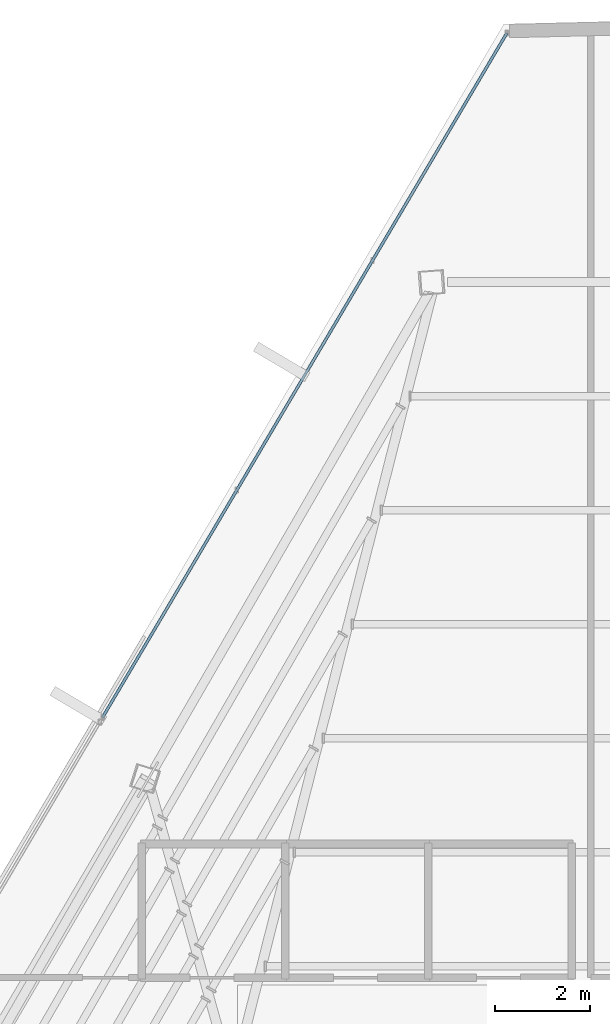
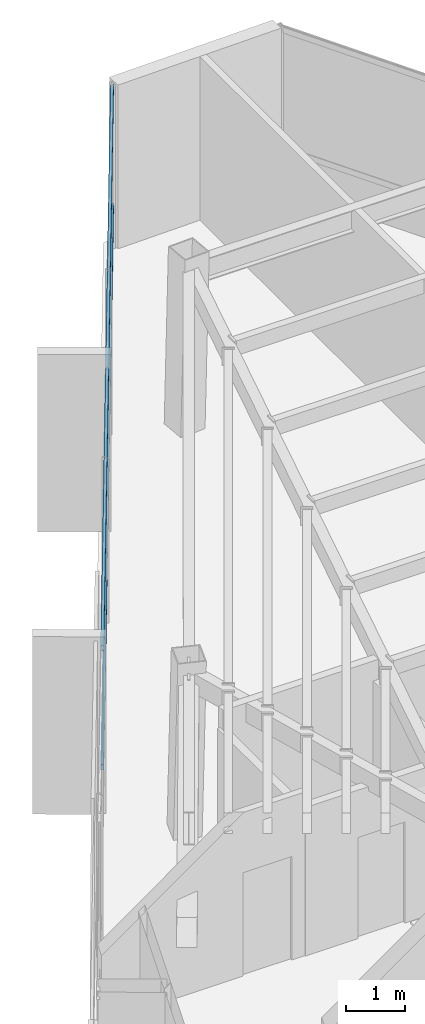
# One storey, part 34 of 48: 2 members, 1 element without a shape of its own.
"""IFC4 building model written with IfcOpenShell, lengths in metres."""

from ifc_helpers import new_model, si_unit, direction, frame, origin, origin_2d, place, context, subcontext, project, spatial, hollow_rectangle, extrude, source, transform, mapped, material, material_profile, profile_set, type_object, type_shapes, element, aggregate, save


model = new_model("IFC4")

# Units and contexts
model_context = context("Model", 3, precision=1e-05, world=origin(), true_north=direction((0.0, 1.0)))
body_context = subcontext(model_context, "Body", "Model", "MODEL_VIEW")
ifc_project = project(units=[si_unit("LENGTHUNIT", "METRE"), si_unit("AREAUNIT", "SQUARE_METRE"), si_unit("VOLUMEUNIT", "CUBIC_METRE"), si_unit("PLANEANGLEUNIT", "RADIAN"), si_unit("MASSUNIT", "GRAM", prefix="KILO")], contexts=[model_context])

# Site, building, storey
site_placement = place(None, origin())
site = spatial("IfcSite", under=ifc_project, at=site_placement, CompositionType="ELEMENT")
building_placement = place(site_placement, origin())
building = spatial("IfcBuilding", under=site, at=building_placement, Name="Caelisora Broadcast Tower", CompositionType="ELEMENT")
storey_placement = place(building_placement, frame((0.0, 0.0, 277.300048828125)))
storey = spatial("IfcBuildingStorey", under=building, at=storey_placement, Name="L73", CompositionType="ELEMENT", Elevation=277.300048828125)

# Curtain wall, members
ifc_material_1 = material(Name="Unitised Aluminium and Low-E Glass Curtain Wall", Category="glass")
curtain_wall_type = type_object("IfcCurtainWallType", Name="CW-Z5", PredefinedType="NOTDEFINED", material=ifc_material_1)
curtain_wall_placement = place(storey_placement, origin())
curtain_wall = element("IfcCurtainWall", 1, at=curtain_wall_placement, inside=storey, type_object=curtain_wall_type, Name="L73 curtain wall CW-Z5", PredefinedType="NOTDEFINED")
ifc_material_2 = material(Name="Aluminium 6063-T6 Anodised Terracotta Bronze", Category="aluminium")
ifc_material_profile = material_profile(ifc_material_2, hollow_rectangle(XDim=0.06005859375, YDim=0.1201171875, WallThickness=0.0029296875, at=origin_2d()), Name="Aluminium 6063-T6 Anodised Terracotta Bronze")
ifc_profile_set = profile_set([ifc_material_profile], Name="Aluminium 6063-T6 Anodised Terracotta Bronze")
member_type = type_object("IfcMemberType", Name="CWT-03", PredefinedType="USERDEFINED", material=ifc_profile_set)
shared_shape = source(origin(), body_context, "Body", "SweptSolid", [
    extrude(hollow_rectangle(XDim=0.06005859375, YDim=0.1201171875, WallThickness=0.0029296875, at=origin_2d()), origin(), (0.0, 0.0, 1.0), 16.647705078125),
])
type_shapes(member_type, [shared_shape])
member_1_placement = place(storey_placement, frame((27.77587890625, 37.601806640625, 0.849853515625), z_axis=(0.508645810499, 0.860975864622, 0.0), x_axis=(-0.860975864622, 0.508645810499, 0.0)))
member_1 = element("IfcMember", 2, at=member_1_placement, type_object=member_type, Name="L73-CW-B11 transom #1", ObjectType="TRANSOM", PredefinedType="USERDEFINED", context=body_context, shape_type="MappedRepresentation", body=[
    mapped(shared_shape, transform((0.0, 0.0, 0.0), scale=1.0)),
])
member_2_placement = place(storey_placement, frame((27.77587890625, 37.601806640625, 3.320068359375), z_axis=(0.508645810499, 0.860975864622, 0.0), x_axis=(-0.860975864622, 0.508645810499, 0.0)))
member_2 = element("IfcMember", 3, at=member_2_placement, type_object=member_type, Name="L73-CW-B11 transom #2", ObjectType="TRANSOM", PredefinedType="USERDEFINED", context=body_context, shape_type="MappedRepresentation", body=[
    mapped(shared_shape, transform((0.0, 0.0, 0.0), scale=1.0)),
])
aggregate(curtain_wall, [member_1, member_2])

save(model, "model.ifc")
